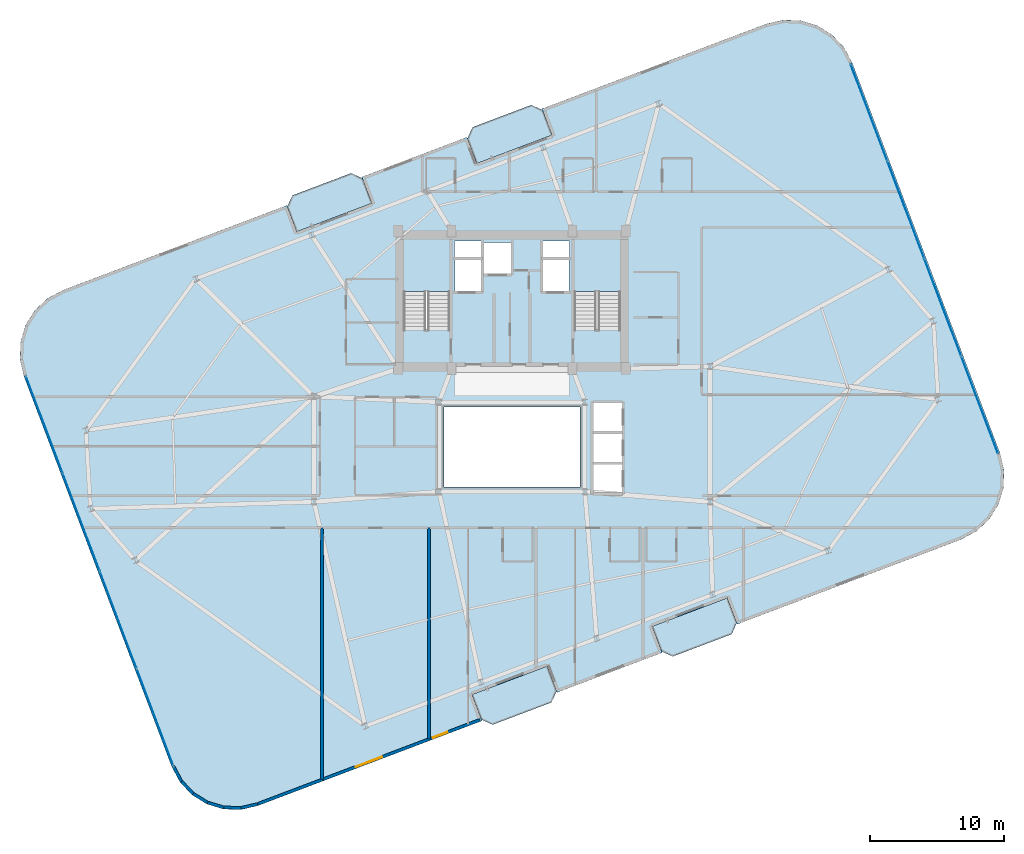
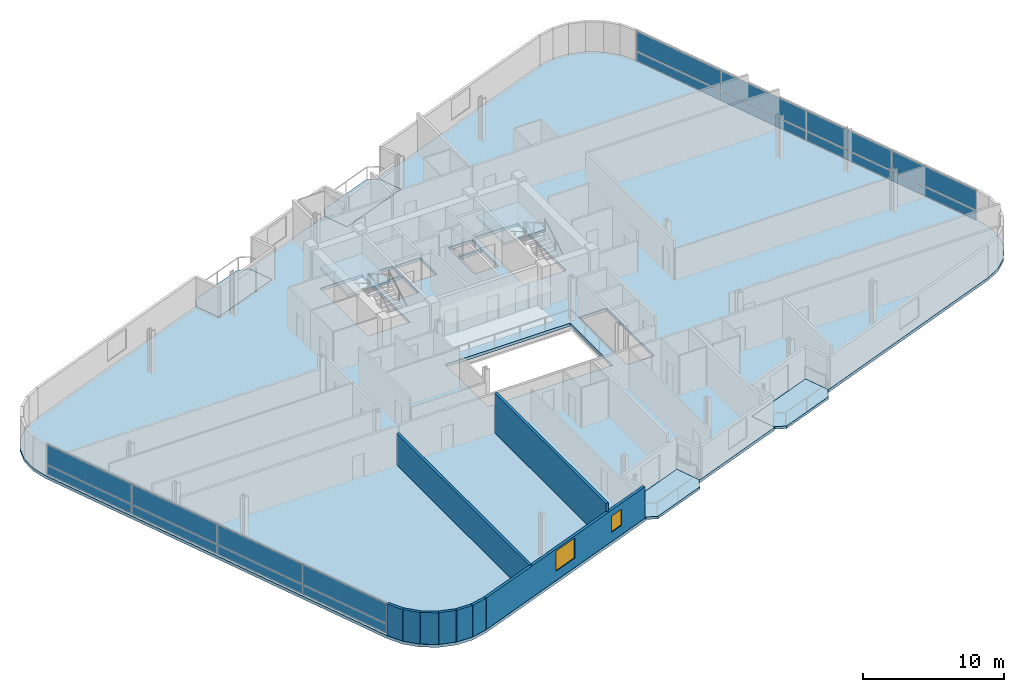
# One storey, part 13 of 20: 16 plates, 9 walls, 7 slabs, 2 windows, 2 openings, 4 elements without a shape of their own.
"""IFC4 building model written with IfcOpenShell, lengths in metres."""

from ifc_helpers import new_model, si_unit, direction, frame, frame_2d, origin, origin_2d, place, context, subcontext, project, spatial, polyline, rectangle, outline, extrude, source, transform, mapped, material, layer, layer_set, type_object, element, fill, aggregate, save


model = new_model("IFC4")

# Units and contexts
model_context = context("Model", 3, precision=1e-05, world=origin(), true_north=direction((0.0, 1.0)))
body_context = subcontext(model_context, "Body", "Model", "MODEL_VIEW")
ifc_project = project(units=[si_unit("LENGTHUNIT", "METRE"), si_unit("AREAUNIT", "SQUARE_METRE"), si_unit("VOLUMEUNIT", "CUBIC_METRE"), si_unit("PLANEANGLEUNIT", "RADIAN"), si_unit("MASSUNIT", "GRAM", prefix="KILO")], contexts=[model_context])

# Site, building, storey
site_placement = place(None, origin())
site = spatial("IfcSite", under=ifc_project, at=site_placement, CompositionType="ELEMENT")
building_placement = place(site_placement, origin())
building = spatial("IfcBuilding", under=site, at=building_placement, Name="Varnelok Gate Tower", CompositionType="ELEMENT")
storey_placement = place(building_placement, frame((0.0, 0.0, 238.60009765625)))
storey = spatial("IfcBuildingStorey", under=building, at=storey_placement, Name="L61", CompositionType="ELEMENT", Elevation=238.60009765625)

# Slabs
ifc_material_1 = material(Name="Concrete C45/55", Category="concrete")
ifc_layer_1 = layer(ifc_material_1, 0.219970703125)
ifc_layer_set_1 = layer_set([ifc_layer_1], Name="Concrete C45/55")
slab_type_1 = type_object("IfcSlabType", Name="SLB-BALC-220", PredefinedType="FLOOR", material=ifc_layer_set_1)
slab_1_placement = place(storey_placement, frame((0.0, 0.0, -0.22021484375)))
element("IfcSlab", 1, at=slab_1_placement, inside=storey, type_object=slab_type_1, Name="L61 South Hollow Balcony 1", PredefinedType="FLOOR", context=body_context, shape_type="SweptSolid", body=[
    extrude(outline(polyline([(36.9189453125, 2.5166015625), (37.757080078125, 2.138916015625), (42.152587890625, 3.802978515625), (42.530517578125, 4.640869140625), (41.822265625, 6.51123046875), (36.2109375, 4.386962890625), (36.9189453125, 2.5166015625)])), origin(), (0.0, 0.0, 1.0), 0.22021484375),
])
slab_2_placement = place(storey_placement, frame((0.0, 0.0, -0.22021484375)))
element("IfcSlab", 2, at=slab_2_placement, inside=storey, type_object=slab_type_1, Name="L61 South Hollow Balcony 2", PredefinedType="FLOOR", context=body_context, shape_type="SweptSolid", body=[
    extrude(outline(polyline([(50.38623046875, 7.614990234375), (51.22412109375, 7.2373046875), (55.619873046875, 8.9013671875), (55.99755859375, 9.739501953125), (55.289306640625, 11.60986328125), (49.677978515625, 9.485595703125), (50.38623046875, 7.614990234375)])), origin(), (0.0, 0.0, 1.0), 0.22021484375),
])
slab_3_placement = place(storey_placement, frame((0.0, 0.0, -0.22021484375)))
element("IfcSlab", 3, at=slab_3_placement, inside=storey, type_object=slab_type_1, Name="L61 North Hollow Balcony 1", PredefinedType="FLOOR", context=body_context, shape_type="SweptSolid", body=[
    extrude(outline(polyline([(23.110595703125, 38.990234375), (28.721923828125, 41.114501953125), (28.013916015625, 42.985107421875), (27.17578125, 43.36279296875), (22.7802734375, 41.698486328125), (22.402587890625, 40.860595703125), (23.110595703125, 38.990234375)])), origin(), (0.0, 0.0, 1.0), 0.22021484375),
])
slab_4_placement = place(storey_placement, frame((0.0, 0.0, -0.22021484375)))
element("IfcSlab", 4, at=slab_4_placement, inside=storey, type_object=slab_type_1, Name="L61 North Hollow Balcony 2", PredefinedType="FLOOR", context=body_context, shape_type="SweptSolid", body=[
    extrude(outline(polyline([(36.577880859375, 44.088623046875), (42.189208984375, 46.212890625), (41.48095703125, 48.08349609375), (40.642822265625, 48.461181640625), (36.247314453125, 46.797119140625), (35.86962890625, 45.958984375), (36.577880859375, 44.088623046875)])), origin(), (0.0, 0.0, 1.0), 0.22021484375),
])

# Stair, slab
ifc_material_2 = material(Name="Concrete C50/60", Category="concrete")
stair_type = type_object("IfcStairType", Name="STR-CORE-1650", PredefinedType="HALF_TURN_STAIR", material=ifc_material_2)
stair_1_placement = place(storey_placement, origin())
stair_1 = element("IfcStair", 5, at=stair_1_placement, inside=storey, type_object=stair_type, Name="L61 Exit Stair ST-1", PredefinedType="HALF_TURN_STAIR")
ifc_layer_2 = layer(ifc_material_1, 0.199951171875)
ifc_layer_set_2 = layer_set([ifc_layer_2], Name="Concrete C45/55")
slab_type_2 = type_object("IfcSlabType", Name="SLB-LAND-200", PredefinedType="LANDING", material=ifc_layer_set_2)
slab_5_placement = place(storey_placement, frame((0.0, 0.0, 1.64990234375)))
slab_5 = element("IfcSlab", 6, at=slab_5_placement, type_object=slab_type_2, Name="ST-1 landing 1", PredefinedType="LANDING", context=body_context, shape_type="SweptSolid", body=[
    extrude(outline(polyline([(34.550048828125, 34.5), (34.550048828125, 38.449951171875), (31.10009765625, 38.449951171875), (31.10009765625, 34.5), (34.550048828125, 34.5)])), origin(), (0.0, 0.0, 1.0), 0.199951171875),
])
aggregate(stair_1, [slab_5])

stair_2_placement = place(storey_placement, origin())
stair_2 = element("IfcStair", 7, at=stair_2_placement, inside=storey, type_object=stair_type, Name="L61 Exit Stair ST-2", PredefinedType="HALF_TURN_STAIR")
slab_6_placement = place(storey_placement, frame((0.0, 0.0, 1.64990234375)))
slab_6 = element("IfcSlab", 8, at=slab_6_placement, type_object=slab_type_2, Name="ST-2 landing 1", PredefinedType="LANDING", context=body_context, shape_type="SweptSolid", body=[
    extrude(outline(polyline([(47.300048828125, 34.5), (47.300048828125, 38.449951171875), (43.85009765625, 38.449951171875), (43.85009765625, 34.5), (47.300048828125, 34.5)])), origin(), (0.0, 0.0, 1.0), 0.199951171875),
])
aggregate(stair_2, [slab_6])

# Slab
ifc_layer_3 = layer(ifc_material_2, 0.25)
ifc_layer_set_3 = layer_set([ifc_layer_3], Name="Concrete C50/60")
slab_type_3 = type_object("IfcSlabType", Name="SLB-TYP-250", PredefinedType="FLOOR", material=ifc_layer_set_3)
slab_7_placement = place(storey_placement, frame((0.0, 0.0, -0.25)))
element("IfcSlab", 9, at=slab_7_placement, inside=storey, type_object=slab_type_3, Name="L61 Structural Floor Slab", PredefinedType="FLOOR", context=body_context, shape_type="SweptSolid", body=[
    extrude(outline(polyline([(13.767578125, -1.0087890625), (14.385009765625, -2.158935546875), (15.279296875, -3.10986328125), (16.388916015625, -3.796875), (17.638671875, -4.17333984375), (18.943359375, -4.213623046875), (20.214111328125, -3.914794921875), (29.8779296875, -0.256103515625), (36.954345703125, 2.423095703125), (36.2109375, 4.386962890625), (41.822265625, 6.51123046875), (42.56591796875, 4.54736328125), (50.421630859375, 7.521484375), (49.677978515625, 9.485595703125), (55.289306640625, 11.60986328125), (56.032958984375, 9.64599609375), (63.109619140625, 12.324951171875), (72.7734375, 15.983642578125), (73.92333984375, 16.60107421875), (74.874267578125, 17.495361328125), (75.561279296875, 18.60498046875), (75.93798828125, 19.854736328125), (75.97802734375, 21.159423828125), (75.67919921875, 22.429931640625), (64.632568359375, 51.60888671875), (64.014892578125, 52.7587890625), (63.120849609375, 53.709716796875), (62.010986328125, 54.39697265625), (60.76123046875, 54.7734375), (59.45654296875, 54.813720703125), (58.18603515625, 54.5146484375), (48.522216796875, 50.856201171875), (41.445556640625, 48.177001953125), (42.189208984375, 46.212890625), (36.577880859375, 44.088623046875), (35.834228515625, 46.052490234375), (27.978515625, 43.07861328125), (28.721923828125, 41.114501953125), (23.110595703125, 38.990234375), (22.3671875, 40.9541015625), (15.29052734375, 38.275146484375), (5.626708984375, 34.616455078125), (4.4765625, 33.998779296875), (3.525634765625, 33.104736328125), (2.838623046875, 31.9951171875), (2.462158203125, 30.7451171875), (2.422119140625, 29.440673828125), (2.720703125, 28.169921875), (13.767578125, -1.0087890625)]), holes=[polyline([(34.550048828125, 31.679931640625), (34.550048828125, 38.449951171875), (31.10009765625, 38.449951171875), (31.10009765625, 31.679931640625), (34.550048828125, 31.679931640625)]), polyline([(47.300048828125, 31.679931640625), (47.300048828125, 38.449951171875), (43.85009765625, 38.449951171875), (43.85009765625, 31.679931640625), (47.300048828125, 31.679931640625)]), polyline([(34.949951171875, 34.550048828125), (36.89990234375, 34.550048828125), (36.89990234375, 36.89990234375), (34.949951171875, 36.89990234375), (34.949951171875, 34.550048828125)]), polyline([(41.5, 34.550048828125), (43.449951171875, 34.550048828125), (43.449951171875, 36.89990234375), (41.5, 36.89990234375), (41.5, 34.550048828125)]), polyline([(37.050048828125, 35.85009765625), (39.14990234375, 35.85009765625), (39.14990234375, 38.199951171875), (37.050048828125, 38.199951171875), (37.050048828125, 35.85009765625)]), polyline([(45.25, 19.449951171875), (47.449951171875, 19.449951171875), (47.449951171875, 26.199951171875), (45.25, 26.199951171875), (45.25, 19.449951171875)]), polyline([(34.919921875, 37.080078125), (36.89990234375, 37.080078125), (36.89990234375, 38.280029296875), (34.919921875, 38.280029296875), (34.919921875, 37.080078125)]), polyline([(41.5, 37.080078125), (43.47998046875, 37.080078125), (43.47998046875, 38.280029296875), (41.5, 38.280029296875), (41.5, 37.080078125)]), polyline([(34.10009765625, 19.89990234375), (44.300048828125, 19.89990234375), (44.300048828125, 25.89990234375), (34.10009765625, 25.89990234375), (34.10009765625, 19.89990234375)])]), origin(), (0.0, 0.0, 1.0), 0.25),
])

# Curtain wall, plates
ifc_material_3 = material(Name="Anodized Aluminum Alloy 6063-T6", Category="aluminium")
ifc_layer_4 = layer(ifc_material_3, 0.179931640625)
ifc_layer_set_4 = layer_set([ifc_layer_4], Name="Anodized Aluminum Alloy 6063-T6")
curtain_wall_type = type_object("IfcCurtainWallType", Name="CW4-RESIDENCE-VISION", PredefinedType="USERDEFINED", material=ifc_layer_set_4)
curtain_wall_1_placement = place(storey_placement, origin())
curtain_wall_1 = element("IfcCurtainWall", 10, at=curtain_wall_1_placement, inside=storey, type_object=curtain_wall_type, Name="L61 West End Vision Curtain Wall", ObjectType="UNITISED CURTAIN WALL", PredefinedType="USERDEFINED")
ifc_material_4 = material(Name="Low-E Laminated Double Glazing IGU", Category="glass")
ifc_layer_5 = layer(ifc_material_4, 0.035888671875)
ifc_layer_set_5 = layer_set([ifc_layer_5], Name="Low-E Laminated Double Glazing IGU")
plate_type = type_object("IfcPlateType", Name="CW-PNL-IGU36", PredefinedType="CURTAIN_PANEL", material=ifc_layer_set_5)
shared_shape_1 = source(origin(), body_context, "Body", "SweptSolid", [
    extrude(rectangle(XDim=7.6875, YDim=0.035888671875, at=origin_2d()), origin(), (0.0, 0.0, 1.0), 0.78759765625),
])
plate_1_placement = place(storey_placement, frame((12.510986328125, 2.70556640625, 0.074951171875), z_axis=(0.0, 0.0, 1.0), x_axis=(-0.354063042079, 0.935221557832, 0.0)))
plate_1 = element("IfcPlate", 11, at=plate_1_placement, type_object=plate_type, Name="CW4 panel 1.1", PredefinedType="CURTAIN_PANEL", context=body_context, shape_type="MappedRepresentation", body=[
    mapped(shared_shape_1, transform((0.0, 0.0, 0.0), scale=1.0)),
])
plate_2_placement = place(storey_placement, frame((4.2392578125, 24.5546875, 0.074951171875), z_axis=(0.0, 0.0, 1.0), x_axis=(-0.354063042079, 0.935221557832, 0.0)))
plate_2 = element("IfcPlate", 12, at=plate_2_placement, type_object=plate_type, Name="CW4 panel 4.1", PredefinedType="CURTAIN_PANEL", context=body_context, shape_type="MappedRepresentation", body=[
    mapped(shared_shape_1, transform((0.0, 0.0, 0.0), scale=1.0)),
])

curtain_wall_2_placement = place(storey_placement, origin())
curtain_wall_2 = element("IfcCurtainWall", 13, at=curtain_wall_2_placement, inside=storey, type_object=curtain_wall_type, Name="L61 East End Vision Curtain Wall", ObjectType="UNITISED CURTAIN WALL", PredefinedType="USERDEFINED")
plate_3_placement = place(storey_placement, frame((65.888916015625, 47.89453125, 0.074951171875), z_axis=(0.0, 0.0, 1.0), x_axis=(0.354063042079, -0.935221557832, 0.0)))
plate_3 = element("IfcPlate", 14, at=plate_3_placement, type_object=plate_type, Name="CW4 panel 1.1", PredefinedType="CURTAIN_PANEL", context=body_context, shape_type="MappedRepresentation", body=[
    mapped(shared_shape_1, transform((0.0, 0.0, 0.0), scale=1.0)),
])
plate_4_placement = place(storey_placement, frame((74.160888671875, 26.04541015625, 0.074951171875), z_axis=(0.0, 0.0, 1.0), x_axis=(0.354063042079, -0.935221557832, 0.0)))
plate_4 = element("IfcPlate", 15, at=plate_4_placement, type_object=plate_type, Name="CW4 panel 4.1", PredefinedType="CURTAIN_PANEL", context=body_context, shape_type="MappedRepresentation", body=[
    mapped(shared_shape_1, transform((0.0, 0.0, 0.0), scale=1.0)),
])

# Plate
shared_shape_2 = source(origin(), body_context, "Body", "SweptSolid", [
    extrude(rectangle(XDim=7.6875, YDim=0.035888671875, at=origin_2d()), origin(), (0.0, 0.0, 1.0), 1.717529296875),
])
plate_5_placement = place(storey_placement, frame((12.510986328125, 2.70556640625, 0.9375), z_axis=(0.0, 0.0, 1.0), x_axis=(-0.354063042079, 0.935221557832, 0.0)))
plate_5 = element("IfcPlate", 16, at=plate_5_placement, type_object=plate_type, Name="CW4 panel 1.2", PredefinedType="CURTAIN_PANEL", context=body_context, shape_type="MappedRepresentation", body=[
    mapped(shared_shape_2, transform((0.0, 0.0, 0.0), scale=1.0)),
])

plate_6_placement = place(storey_placement, frame((4.2392578125, 24.5546875, 0.9375), z_axis=(0.0, 0.0, 1.0), x_axis=(-0.354063042079, 0.935221557832, 0.0)))
plate_6 = element("IfcPlate", 17, at=plate_6_placement, type_object=plate_type, Name="CW4 panel 4.2", PredefinedType="CURTAIN_PANEL", context=body_context, shape_type="MappedRepresentation", body=[
    mapped(shared_shape_2, transform((0.0, 0.0, 0.0), scale=1.0)),
])

plate_7_placement = place(storey_placement, frame((65.888916015625, 47.89453125, 0.9375), z_axis=(0.0, 0.0, 1.0), x_axis=(0.354063042079, -0.935221557832, 0.0)))
plate_7 = element("IfcPlate", 18, at=plate_7_placement, type_object=plate_type, Name="CW4 panel 1.2", PredefinedType="CURTAIN_PANEL", context=body_context, shape_type="MappedRepresentation", body=[
    mapped(shared_shape_2, transform((0.0, 0.0, 0.0), scale=1.0)),
])

plate_8_placement = place(storey_placement, frame((74.160888671875, 26.04541015625, 0.9375), z_axis=(0.0, 0.0, 1.0), x_axis=(0.354063042079, -0.935221557832, 0.0)))
plate_8 = element("IfcPlate", 19, at=plate_8_placement, type_object=plate_type, Name="CW4 panel 4.2", PredefinedType="CURTAIN_PANEL", context=body_context, shape_type="MappedRepresentation", body=[
    mapped(shared_shape_2, transform((0.0, 0.0, 0.0), scale=1.0)),
])

shared_shape_3 = source(origin(), body_context, "Body", "SweptSolid", [
    extrude(rectangle(XDim=7.72509765625, YDim=0.035888671875, at=origin_2d()), origin(), (0.0, 0.0, 1.0), 0.78759765625),
])
plate_9_placement = place(storey_placement, frame((9.755859375, 9.982666015625, 0.074951171875), z_axis=(0.0, 0.0, 1.0), x_axis=(-0.354063042079, 0.935221557832, 0.0)))
plate_9 = element("IfcPlate", 20, at=plate_9_placement, type_object=plate_type, Name="CW4 panel 2.1", PredefinedType="CURTAIN_PANEL", context=body_context, shape_type="MappedRepresentation", body=[
    mapped(shared_shape_3, transform((0.0, 0.0, 0.0), scale=1.0)),
])

plate_10_placement = place(storey_placement, frame((6.994140625, 17.277587890625, 0.074951171875), z_axis=(0.0, 0.0, 1.0), x_axis=(-0.354063042079, 0.935221557832, 0.0)))
plate_10 = element("IfcPlate", 21, at=plate_10_placement, type_object=plate_type, Name="CW4 panel 3.1", PredefinedType="CURTAIN_PANEL", context=body_context, shape_type="MappedRepresentation", body=[
    mapped(shared_shape_3, transform((0.0, 0.0, 0.0), scale=1.0)),
])

plate_11_placement = place(storey_placement, frame((68.64404296875, 40.6171875, 0.074951171875), z_axis=(0.0, 0.0, 1.0), x_axis=(0.354063042079, -0.935221557832, 0.0)))
plate_11 = element("IfcPlate", 22, at=plate_11_placement, type_object=plate_type, Name="CW4 panel 2.1", PredefinedType="CURTAIN_PANEL", context=body_context, shape_type="MappedRepresentation", body=[
    mapped(shared_shape_3, transform((0.0, 0.0, 0.0), scale=1.0)),
])

plate_12_placement = place(storey_placement, frame((71.40576171875, 33.322509765625, 0.074951171875), z_axis=(0.0, 0.0, 1.0), x_axis=(0.354063042079, -0.935221557832, 0.0)))
plate_12 = element("IfcPlate", 23, at=plate_12_placement, type_object=plate_type, Name="CW4 panel 3.1", PredefinedType="CURTAIN_PANEL", context=body_context, shape_type="MappedRepresentation", body=[
    mapped(shared_shape_3, transform((0.0, 0.0, 0.0), scale=1.0)),
])

shared_shape_4 = source(origin(), body_context, "Body", "SweptSolid", [
    extrude(rectangle(XDim=7.72509765625, YDim=0.035888671875, at=origin_2d()), origin(), (0.0, 0.0, 1.0), 1.717529296875),
])
plate_13_placement = place(storey_placement, frame((9.755859375, 9.982666015625, 0.9375), z_axis=(0.0, 0.0, 1.0), x_axis=(-0.354063042079, 0.935221557832, 0.0)))
plate_13 = element("IfcPlate", 24, at=plate_13_placement, type_object=plate_type, Name="CW4 panel 2.2", PredefinedType="CURTAIN_PANEL", context=body_context, shape_type="MappedRepresentation", body=[
    mapped(shared_shape_4, transform((0.0, 0.0, 0.0), scale=1.0)),
])

plate_14_placement = place(storey_placement, frame((6.994140625, 17.277587890625, 0.9375), z_axis=(0.0, 0.0, 1.0), x_axis=(-0.354063042079, 0.935221557832, 0.0)))
plate_14 = element("IfcPlate", 25, at=plate_14_placement, type_object=plate_type, Name="CW4 panel 3.2", PredefinedType="CURTAIN_PANEL", context=body_context, shape_type="MappedRepresentation", body=[
    mapped(shared_shape_4, transform((0.0, 0.0, 0.0), scale=1.0)),
])

aggregate(curtain_wall_1, [plate_1, plate_5, plate_9, plate_13, plate_10, plate_14, plate_2, plate_6])

plate_15_placement = place(storey_placement, frame((68.64404296875, 40.6171875, 0.9375), z_axis=(0.0, 0.0, 1.0), x_axis=(0.354063042079, -0.935221557832, 0.0)))
plate_15 = element("IfcPlate", 26, at=plate_15_placement, type_object=plate_type, Name="CW4 panel 2.2", PredefinedType="CURTAIN_PANEL", context=body_context, shape_type="MappedRepresentation", body=[
    mapped(shared_shape_4, transform((0.0, 0.0, 0.0), scale=1.0)),
])

plate_16_placement = place(storey_placement, frame((71.40576171875, 33.322509765625, 0.9375), z_axis=(0.0, 0.0, 1.0), x_axis=(0.354063042079, -0.935221557832, 0.0)))
plate_16 = element("IfcPlate", 27, at=plate_16_placement, type_object=plate_type, Name="CW4 panel 3.2", PredefinedType="CURTAIN_PANEL", context=body_context, shape_type="MappedRepresentation", body=[
    mapped(shared_shape_4, transform((0.0, 0.0, 0.0), scale=1.0)),
])

aggregate(curtain_wall_2, [plate_3, plate_7, plate_11, plate_15, plate_12, plate_16, plate_4, plate_8])

# Walls
ifc_layer_6 = layer(ifc_material_1, 0.219970703125)
ifc_layer_set_6 = layer_set([ifc_layer_6], Name="Concrete C45/55")
wall_type_1 = type_object("IfcWallType", Name="EW-BALC-220", PredefinedType="SOLIDWALL", material=ifc_layer_set_6)
wall_1_placement = place(storey_placement, frame((13.880615234375, -0.966064453125, 0.0), z_axis=(0.0, 0.0, 1.0), x_axis=(0.473242342135, -0.88093228208, 0.0)))
element("IfcWall", 28, at=wall_1_placement, inside=storey, type_object=wall_type_1, Name="L61 Perimeter Facade Closure Wall 1", PredefinedType="SOLIDWALL", context=body_context, shape_type="SweptSolid", body=[
    extrude(rectangle(XDim=1.273681640625, YDim=0.219970703125, at=frame_2d((0.63671875, 0.0))), origin(), (0.0, 0.0, 1.0), 2.72998046875),
])
for number, where, z_axis, x_axis, name in (
    (29, (14.50048828125, -2.1064453125, 0.0), (0.0, 0.0, 1.0), (0.684968140504, -0.728573020702, 0.0), "L61 Perimeter Facade Closure Wall 2"),
    (30, (15.377197265625, -3.029296875, 0.0), (0.0, 0.0, 1.0), (0.850231806078, -0.526408468713, 0.0), "L61 Perimeter Facade Closure Wall 3"),
    (31, (16.462646484375, -3.69384765625, 0.0), (0.0, 0.0, 1.0), (0.957508189204, -0.288406081086, 0.0), "L61 Perimeter Facade Closure Wall 4"),
):
    element("IfcWall", number, at=place(storey_placement, frame(where, z_axis=z_axis, x_axis=x_axis)), inside=storey, type_object=wall_type_1, Name=name, PredefinedType="SOLIDWALL", context=body_context, shape_type="SweptSolid", body=[
        extrude(rectangle(XDim=1.24853515625, YDim=0.219970703125, at=frame_2d((0.624267578125, 0.0))), origin(), (0.0, 0.0, 1.0), 2.72998046875),
    ])
wall_2_placement = place(storey_placement, frame((17.68310546875, -4.0546875, 0.0), z_axis=(0.0, 0.0, 1.0), x_axis=(0.999522886512, -0.030886879732, 0.0)))
element("IfcWall", 32, at=wall_2_placement, inside=storey, type_object=wall_type_1, Name="L61 Perimeter Facade Closure Wall 5", PredefinedType="SOLIDWALL", context=body_context, shape_type="SweptSolid", body=[
    extrude(rectangle(XDim=1.248779296875, YDim=0.219970703125, at=frame_2d((0.62451171875, 0.0))), origin(), (0.0, 0.0, 1.0), 2.72998046875),
])
wall_3_placement = place(storey_placement, frame((18.95556640625, -4.08740234375, 0.0), z_axis=(0.0, 0.0, 1.0), x_axis=(0.973463008152, 0.228844426981, 0.0)))
element("IfcWall", 33, at=wall_3_placement, inside=storey, type_object=wall_type_1, Name="L61 Perimeter Facade Closure Wall 6", PredefinedType="SOLIDWALL", context=body_context, shape_type="SweptSolid", body=[
    extrude(rectangle(XDim=1.2568359375, YDim=0.219970703125, at=frame_2d((0.62841796875, 0.0))), origin(), (0.0, 0.0, 1.0), 2.72998046875),
])

# Wall, openings, windows
wall_4_placement = place(storey_placement, frame((20.2021484375, -3.790771484375, 0.0), z_axis=(0.0, 0.0, 1.0), x_axis=(0.935225574232, 0.354052432984, 0.0)))
wall_4 = element("IfcWall", 34, at=wall_4_placement, inside=storey, type_object=wall_type_1, Name="L61 Perimeter Facade Closure Wall 7", PredefinedType="SOLIDWALL", context=body_context, shape_type="SweptSolid", body=[
    extrude(rectangle(XDim=17.747314453125, YDim=0.219970703125, at=frame_2d((8.87353515625, 0.0))), origin(), (0.0, 0.0, 1.0), 2.72998046875),
])
opening_1_placement = place(wall_4_placement, frame((7.823486328125, 0.0, 0.800048828125)))
opening_1 = element("IfcOpeningElement", 35, at=opening_1_placement, cuts=wall_4, Name="Opening WN4", PredefinedType="OPENING", context=body_context, shape_type="SweptSolid", body=[
    extrude(rectangle(XDim=2.10009765625, YDim=1.75, at=frame_2d((1.050048828125, 0.875))), frame((0.0, 0.119873046875, 0.0), z_axis=(0.0, -1.0, 0.0), x_axis=(1.0, 0.0, 0.0)), (0.0, 0.0, 1.0), 0.239990234375),
])
opening_2_placement = place(wall_4_placement, frame((13.99755859375, 0.0, 0.800048828125)))
opening_2 = element("IfcOpeningElement", 36, at=opening_2_placement, cuts=wall_4, Name="Opening WN8", PredefinedType="OPENING", context=body_context, shape_type="SweptSolid", body=[
    extrude(rectangle(XDim=1.14990234375, YDim=1.39990234375, at=frame_2d((0.574951171875, 0.699951171875))), frame((0.0, 0.119873046875, 0.0), z_axis=(0.0, -1.0, 0.0), x_axis=(1.0, 0.0, 0.0)), (0.0, 0.0, 1.0), 0.239990234375),
])
window_type_1 = type_object("IfcWindowType", Name="WN-BED-1150", PartitioningType="SINGLE_PANEL", PredefinedType="WINDOW", material=ifc_material_4)
window_1_placement = place(opening_2_placement, origin())
window_1 = element("IfcWindow", 37, at=window_1_placement, inside=storey, type_object=window_type_1, Name="L61 Bedroom Vision Window 43", OverallHeight=1.39990234375, OverallWidth=1.14990234375, PartitioningType="SINGLE_PANEL", PredefinedType="WINDOW", context=body_context, shape_type="SweptSolid", body=[
    extrude(rectangle(XDim=1.14990234375, YDim=1.39990234375, at=frame_2d((0.574951171875, 0.699951171875))), frame((0.0, 0.030029296875, 0.0), z_axis=(0.0, -1.0, 0.0), x_axis=(1.0, 0.0, 0.0)), (0.0, 0.0, 1.0), 0.06005859375),
])
fill(opening_2, window_1)
window_type_2 = type_object("IfcWindowType", Name="WN-SUI-2100", PartitioningType="SINGLE_PANEL", PredefinedType="WINDOW", material=ifc_material_4)
window_2_placement = place(opening_1_placement, origin())
window_2 = element("IfcWindow", 38, at=window_2_placement, inside=storey, type_object=window_type_2, Name="L61 Perimeter Vision Window 7", OverallHeight=1.75, OverallWidth=2.10009765625, PartitioningType="SINGLE_PANEL", PredefinedType="WINDOW", context=body_context, shape_type="SweptSolid", body=[
    extrude(rectangle(XDim=2.10009765625, YDim=1.75, at=frame_2d((1.050048828125, 0.875))), frame((0.0, 0.030029296875, 0.0), z_axis=(0.0, -1.0, 0.0), x_axis=(1.0, 0.0, 0.0)), (0.0, 0.0, 1.0), 0.06005859375),
])
fill(opening_1, window_2)

# Walls
ifc_material_5 = material(Name="Gypsum Plasterboard Acoustic Partition", Category="gypsum")
ifc_layer_7 = layer(ifc_material_5, 0.205078125)
ifc_layer_set_7 = layer_set([ifc_layer_7], Name="Gypsum Plasterboard Acoustic Partition")
wall_type_2 = type_object("IfcWallType", Name="PW-PARTY-200", PredefinedType="PARTITIONING", material=ifc_layer_set_7)
wall_5_placement = place(storey_placement, frame((25.0, -1.953125, 0.0), z_axis=(0.0, 0.0, 1.0), x_axis=(0.0, 1.0, 0.0)))
element("IfcWall", 39, at=wall_5_placement, inside=storey, type_object=wall_type_2, Name="L61 South Party Wall 1", PredefinedType="PARTITIONING", context=body_context, shape_type="SweptSolid", body=[
    extrude(rectangle(XDim=18.80322265625, YDim=0.205078125, at=frame_2d((9.401611328125, 0.0))), origin(), (0.0, 0.0, 1.0), 2.739013671875),
])
wall_6_placement = place(storey_placement, frame((33.0, 1.07568359375, 0.0), z_axis=(0.0, 0.0, 1.0), x_axis=(0.0, 1.0, 0.0)))
element("IfcWall", 40, at=wall_6_placement, inside=storey, type_object=wall_type_2, Name="L61 South Party Wall 2", PredefinedType="PARTITIONING", context=body_context, shape_type="SweptSolid", body=[
    extrude(rectangle(XDim=15.7744140625, YDim=0.205078125, at=frame_2d((7.88720703125, 0.0))), origin(), (0.0, 0.0, 1.0), 3.449951171875),
])

save(model, "model.ifc")
